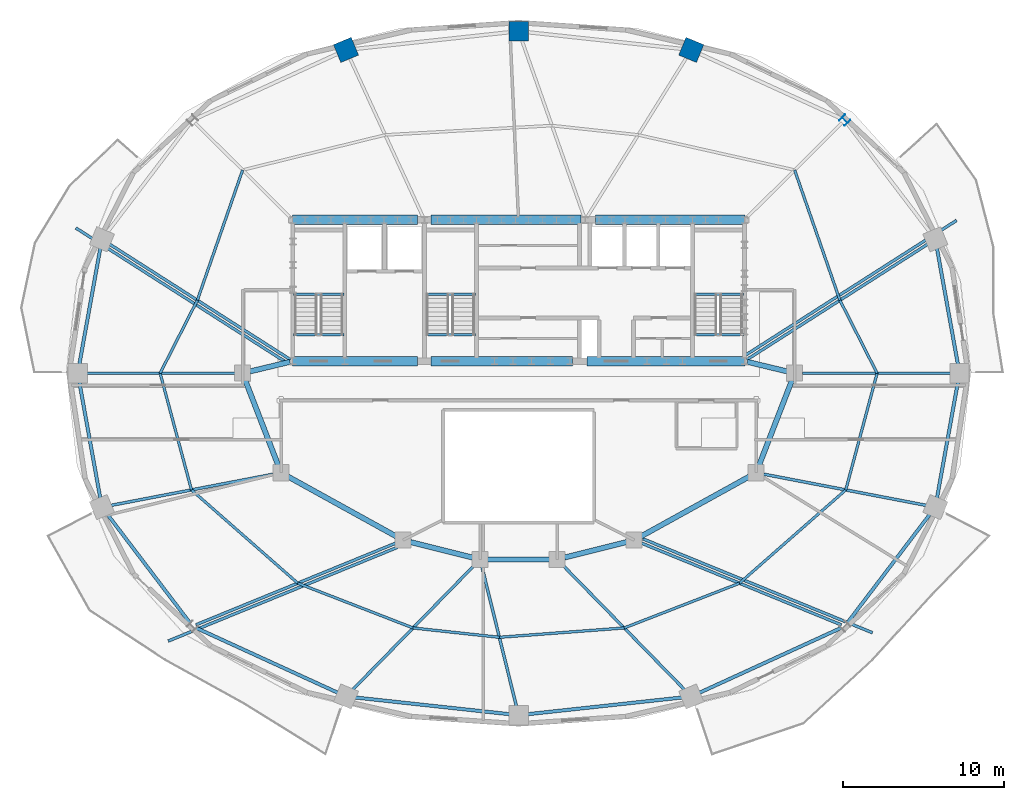
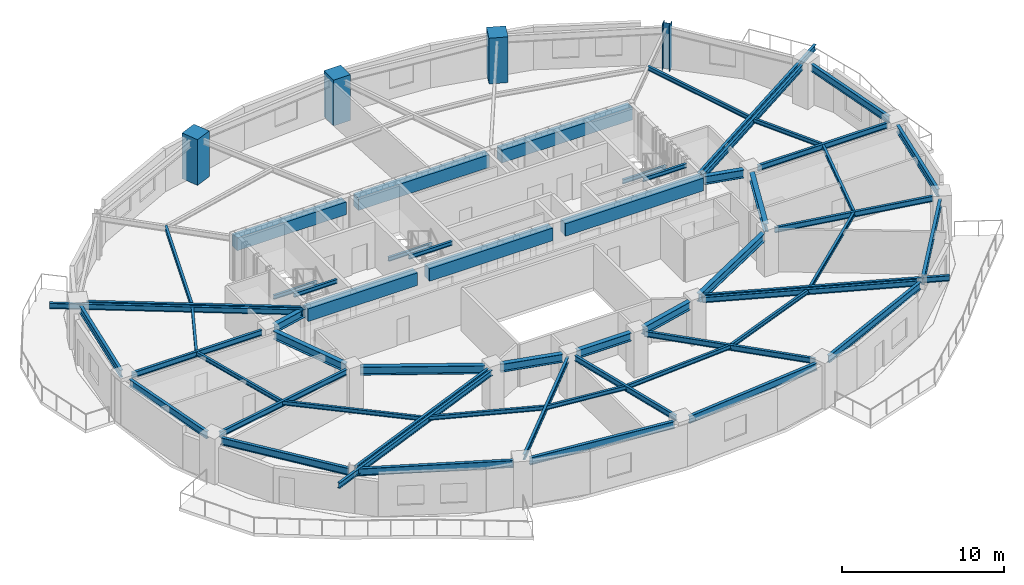
# One storey, part 2 of 11: 58 beams, 4 columns.
"""IFC4 building model written with IfcOpenShell, lengths in metres."""

from ifc_helpers import new_model, si_unit, direction, frame, origin, origin_2d, place, context, subcontext, project, spatial, rectangle, i_section, extrude, material, material_profile, profile_set, type_object, element, save


model = new_model("IFC4")

# Units and contexts
model_context = context("Model", 3, precision=1e-05, world=origin(), true_north=direction((0.0, 1.0)))
body_context = subcontext(model_context, "Body", "Model", "MODEL_VIEW")
ifc_project = project(units=[si_unit("LENGTHUNIT", "METRE"), si_unit("AREAUNIT", "SQUARE_METRE"), si_unit("VOLUMEUNIT", "CUBIC_METRE"), si_unit("PLANEANGLEUNIT", "RADIAN"), si_unit("MASSUNIT", "GRAM", prefix="KILO")], contexts=[model_context])

# Site, building, storey
site_placement = place(None, origin())
site = spatial("IfcSite", under=ifc_project, at=site_placement, CompositionType="ELEMENT")
building_placement = place(site_placement, origin())
building = spatial("IfcBuilding", under=site, at=building_placement, Name="Haldorwick Loom Tower", CompositionType="ELEMENT")
storey_placement = place(building_placement, frame((0.0, 0.0, 215.199951171875)))
storey = spatial("IfcBuildingStorey", under=building, at=storey_placement, Name="L58", CompositionType="ELEMENT", Elevation=215.199951171875)

# Columns
ifc_material_1 = material(Name="Concrete C60 (60 MPa)", Category="concrete")
ifc_material_profile_1 = material_profile(ifc_material_1, rectangle(XDim=1.199951171875, YDim=1.199951171875, at=origin_2d()), Name="RC1200X1200", Category="concrete")
ifc_profile_set_1 = profile_set([ifc_material_profile_1], Name="Concrete C60 (60 MPa)")
column_type_1 = type_object("IfcColumnType", Name="STR-COL-RC1200", PredefinedType="COLUMN", material=ifc_profile_set_1)
for number, where, z_axis, x_axis, name in (
    (1, (46.75341796875, 46.140625, 0.0), (0.0, 0.0, 1.0), (0.382683432365, 0.923879532511, 0.0), "L58 Perimeter Pier Column P04"),
    (2, (36.0, 47.304931640625, 0.0), (0.0, 0.0, 1.0), (0.0, 1.0, 0.0), "L58 Perimeter Pier Column P05"),
    (3, (25.24658203125, 46.140625, 0.0), (0.0, 0.0, 1.0), (-0.382683432365, 0.923879532511, 0.0), "L58 Perimeter Pier Column P06"),
):
    element("IfcColumn", number, at=place(storey_placement, frame(where, z_axis=z_axis, x_axis=x_axis)), inside=storey, type_object=column_type_1, Name=name, PredefinedType="COLUMN", context=body_context, shape_type="SweptSolid", body=[
        extrude(rectangle(XDim=1.199951171875, YDim=1.199951171875, at=origin_2d()), origin(), (0.0, 0.0, 1.0), 3.449951171875),
    ])
ifc_material_2 = material(Name="Steel CSA G40.21 350WT", Category="steel")
ifc_material_profile_2 = material_profile(ifc_material_2, i_section(OverallWidth=0.5, OverallDepth=0.5, WebThickness=0.02197265625, FlangeThickness=0.031982421875, at=origin_2d()), Name="WWF500X500", Category="steel")
ifc_profile_set_2 = profile_set([ifc_material_profile_2], Name="Steel CSA G40.21 350WT")
column_type_2 = type_object("IfcColumnType", Name="STR-COL-WWF500", PredefinedType="COLUMN", material=ifc_profile_set_2)
column_placement = place(storey_placement, frame((56.317626953125, 41.764892578125, 0.0), z_axis=(0.0, 0.0, 1.0), x_axis=(0.707106781187, 0.707106781187, 0.0)))
element("IfcColumn", 4, at=column_placement, inside=storey, type_object=column_type_2, Name="L58 Perimeter Pier Column P03", PredefinedType="COLUMN", context=body_context, shape_type="SweptSolid", body=[
    extrude(i_section(OverallWidth=0.5, OverallDepth=0.5, WebThickness=0.02197265625, FlangeThickness=0.031982421875, at=origin_2d()), origin(), (0.0, 0.0, 1.0), 3.449951171875),
])

# Beams
ifc_material_3 = material(Name="Steel CSA G40.21 350W", Category="steel")
ifc_material_profile_3 = material_profile(ifc_material_3, i_section(OverallWidth=0.179931640625, OverallDepth=0.4130859375, WebThickness=0.009765625, FlangeThickness=0.01611328125, at=origin_2d()), Name="W410X74", Category="steel")
ifc_profile_set_3 = profile_set([ifc_material_profile_3], Name="Steel CSA G40.21 350W")
beam_type_1 = type_object("IfcBeamType", Name="STR-BM-BAL410", PredefinedType="BEAM", material=ifc_profile_set_3)
beam_1_placement = place(storey_placement, frame((43.74560546875, 15.679443359375, 3.003662109375), z_axis=(0.925580184245, -0.378551611451, 0.0), x_axis=(0.378551611451, 0.925580184245, 0.0)))
element("IfcBeam", 5, at=beam_1_placement, inside=storey, type_object=beam_type_1, Name="L58 Continuous Back-Spanned Balcony Beam 1", PredefinedType="BEAM", context=body_context, shape_type="SweptSolid", body=[
    extrude(i_section(OverallWidth=0.179931640625, OverallDepth=0.4130859375, WebThickness=0.009765625, FlangeThickness=0.01611328125, at=origin_2d()), origin(), (0.0, 0.0, 1.0), 15.447509765625),
])
beam_2_placement = place(storey_placement, frame((28.46630859375, 15.160888671875, 3.003662109375), z_axis=(-0.925585721791, -0.378538071556, 0.0), x_axis=(0.378538071556, -0.925585721791, 0.0)))
element("IfcBeam", 6, at=beam_2_placement, inside=storey, type_object=beam_type_1, Name="L58 Continuous Back-Spanned Balcony Beam 2", PredefinedType="BEAM", context=body_context, shape_type="SweptSolid", body=[
    extrude(i_section(OverallWidth=0.179931640625, OverallDepth=0.4130859375, WebThickness=0.009765625, FlangeThickness=0.01611328125, at=origin_2d()), origin(), (0.0, 0.0, 1.0), 15.447265625),
])
for number, where, z_axis, x_axis, name in (
    (7, (21.62939453125, 26.60986328125, 3.003662109375), (-0.842844376394, 0.538157372133, 0.0), (-0.538157372133, -0.842844376394, 0.0), "L58 Continuous Back-Spanned Balcony Beam 3"),
    (8, (50.0693359375, 27.081787109375, 3.003662109375), (0.842844376394, 0.538157372133, 0.0), (-0.538157372133, 0.842844376394, 0.0), "L58 Continuous Back-Spanned Balcony Beam 4"),
):
    element("IfcBeam", number, at=place(storey_placement, frame(where, z_axis=z_axis, x_axis=x_axis)), inside=storey, type_object=beam_type_1, Name=name, PredefinedType="BEAM", context=body_context, shape_type="SweptSolid", body=[
        extrude(i_section(OverallWidth=0.179931640625, OverallDepth=0.4130859375, WebThickness=0.009765625, FlangeThickness=0.01611328125, at=origin_2d()), origin(), (0.0, 0.0, 1.0), 15.680419921875),
    ])
ifc_material_4 = material(Name="Concrete C50 (50 MPa)", Category="concrete")
ifc_material_profile_4 = material_profile(ifc_material_4, rectangle(XDim=0.60009765625, YDim=0.949951171875, at=origin_2d()), Name="RC600X950", Category="concrete")
ifc_profile_set_4 = profile_set([ifc_material_profile_4], Name="Concrete C50 (50 MPa)")
beam_type_2 = type_object("IfcBeamType", Name="STR-BM-CB950", PredefinedType="LINTEL", material=ifc_profile_set_4)
beam_3_placement = place(storey_placement, frame((21.89990234375, 35.550048828125, 2.735107421875), z_axis=(1.0, 0.0, 0.0), x_axis=(0.0, 1.0, 0.0)))
element("IfcBeam", 9, at=beam_3_placement, inside=storey, type_object=beam_type_2, Name="L58 Core Coupling Beam CB-N1", PredefinedType="LINTEL", context=body_context, shape_type="SweptSolid", body=[
    extrude(rectangle(XDim=0.60009765625, YDim=0.949951171875, at=origin_2d()), origin(), (0.0, 0.0, 1.0), 7.800048828125),
])
beam_4_placement = place(storey_placement, frame((30.550048828125, 35.550048828125, 2.735107421875), z_axis=(1.0, 0.0, 0.0), x_axis=(0.0, 1.0, 0.0)))
element("IfcBeam", 10, at=beam_4_placement, inside=storey, type_object=beam_type_2, Name="L58 Core Coupling Beam CB-N2", PredefinedType="LINTEL", context=body_context, shape_type="SweptSolid", body=[
    extrude(rectangle(XDim=0.60009765625, YDim=0.949951171875, at=origin_2d()), origin(), (0.0, 0.0, 1.0), 9.349853515625),
])
beam_5_placement = place(storey_placement, frame((40.800048828125, 35.550048828125, 2.735107421875), z_axis=(1.0, 0.0, 0.0), x_axis=(0.0, 1.0, 0.0)))
element("IfcBeam", 11, at=beam_5_placement, inside=storey, type_object=beam_type_2, Name="L58 Core Coupling Beam CB-N3", PredefinedType="LINTEL", context=body_context, shape_type="SweptSolid", body=[
    extrude(rectangle(XDim=0.60009765625, YDim=0.949951171875, at=origin_2d()), origin(), (0.0, 0.0, 1.0), 9.300048828125),
])
beam_6_placement = place(storey_placement, frame((21.89990234375, 26.75, 2.735107421875), z_axis=(1.0, 0.0, 0.0), x_axis=(0.0, 1.0, 0.0)))
element("IfcBeam", 12, at=beam_6_placement, inside=storey, type_object=beam_type_2, Name="L58 Core Coupling Beam CB-S1", PredefinedType="LINTEL", context=body_context, shape_type="SweptSolid", body=[
    extrude(rectangle(XDim=0.60009765625, YDim=0.949951171875, at=origin_2d()), origin(), (0.0, 0.0, 1.0), 7.800048828125),
])
beam_7_placement = place(storey_placement, frame((30.550048828125, 26.75, 2.735107421875), z_axis=(1.0, 0.0, 0.0), x_axis=(0.0, 1.0, 0.0)))
element("IfcBeam", 13, at=beam_7_placement, inside=storey, type_object=beam_type_2, Name="L58 Core Coupling Beam CB-S2", PredefinedType="LINTEL", context=body_context, shape_type="SweptSolid", body=[
    extrude(rectangle(XDim=0.60009765625, YDim=0.949951171875, at=origin_2d()), origin(), (0.0, 0.0, 1.0), 8.800048828125),
])
beam_8_placement = place(storey_placement, frame((40.25, 26.75, 2.735107421875), z_axis=(1.0, 0.0, 0.0), x_axis=(0.0, 1.0, 0.0)))
element("IfcBeam", 14, at=beam_8_placement, inside=storey, type_object=beam_type_2, Name="L58 Core Coupling Beam CB-S3", PredefinedType="LINTEL", context=body_context, shape_type="SweptSolid", body=[
    extrude(rectangle(XDim=0.60009765625, YDim=0.949951171875, at=origin_2d()), origin(), (0.0, 0.0, 1.0), 9.85009765625),
])
ifc_material_profile_5 = material_profile(ifc_material_3, i_section(OverallWidth=0.166015625, OverallDepth=0.31298828125, WebThickness=0.006591796875, FlangeThickness=0.01123046875, at=origin_2d()), Name="W310X45", Category="steel")
ifc_profile_set_5 = profile_set([ifc_material_profile_5], Name="Steel CSA G40.21 350W")
beam_type_3 = type_object("IfcBeamType", Name="STR-BM-J310", PredefinedType="JOIST", material=ifc_profile_set_5)
beam_9_placement = place(storey_placement, frame((58.333251953125, 26.0, 3.053466796875), z_axis=(-0.454203827517, 0.890897796085, 0.0), x_axis=(-0.890897796085, -0.454203827517, 0.0)))
element("IfcBeam", 15, at=beam_9_placement, inside=storey, type_object=beam_type_3, Name="L58 Mid-Bay Secondary Joist 1", PredefinedType="JOIST", context=body_context, shape_type="SweptSolid", body=[
    extrude(i_section(OverallWidth=0.166015625, OverallDepth=0.31298828125, WebThickness=0.006591796875, FlangeThickness=0.01123046875, at=origin_2d()), origin(), (0.0, 0.0, 1.0), 5.103271484375),
])
for number, where, z_axis, x_axis, name in (
    (16, (56.015380859375, 30.54638671875, 3.053466796875), (-0.328550395803, 0.944486441098, 0.0), (-0.944486441098, -0.328550395803, 0.0), "L58 Mid-Bay Secondary Joist 2"),
    (17, (18.80615234375, 38.657470703125, 3.053466796875), (-0.328550395803, -0.944486441098, 0.0), (0.944486441098, -0.328550395803, 0.0), "L58 Mid-Bay Secondary Joist 7"),
):
    element("IfcBeam", number, at=place(storey_placement, frame(where, z_axis=z_axis, x_axis=x_axis)), inside=storey, type_object=beam_type_3, Name=name, PredefinedType="JOIST", context=body_context, shape_type="SweptSolid", body=[
        extrude(i_section(OverallWidth=0.166015625, OverallDepth=0.31298828125, WebThickness=0.006591796875, FlangeThickness=0.01123046875, at=origin_2d()), origin(), (0.0, 0.0, 1.0), 8.587890625),
    ])
beam_10_placement = place(storey_placement, frame((15.984619140625, 30.54638671875, 3.053466796875), z_axis=(-0.454203827517, -0.890897796085, 0.0), x_axis=(0.890897796085, -0.454203827517, 0.0)))
element("IfcBeam", 18, at=beam_10_placement, inside=storey, type_object=beam_type_3, Name="L58 Mid-Bay Secondary Joist 8", PredefinedType="JOIST", context=body_context, shape_type="SweptSolid", body=[
    extrude(i_section(OverallWidth=0.166015625, OverallDepth=0.31298828125, WebThickness=0.006591796875, FlangeThickness=0.01123046875, at=origin_2d()), origin(), (0.0, 0.0, 1.0), 5.103271484375),
])
beam_11_placement = place(storey_placement, frame((13.666748046875, 26.0, 3.053466796875), z_axis=(0.259353588718, -0.965782437208, 0.0), x_axis=(0.965782437208, 0.259353588718, 0.0)))
element("IfcBeam", 19, at=beam_11_placement, inside=storey, type_object=beam_type_3, Name="L58 Mid-Bay Secondary Joist 9", PredefinedType="JOIST", context=body_context, shape_type="SweptSolid", body=[
    extrude(i_section(OverallWidth=0.166015625, OverallDepth=0.31298828125, WebThickness=0.006591796875, FlangeThickness=0.01123046875, at=origin_2d()), origin(), (0.0, 0.0, 1.0), 7.52880859375),
])
beam_12_placement = place(storey_placement, frame((15.619384765625, 18.728759765625, 3.053466796875), z_axis=(0.751609427289, -0.659608420815, 0.0), x_axis=(0.659608420815, 0.751609427289, 0.0)))
element("IfcBeam", 20, at=beam_12_placement, inside=storey, type_object=beam_type_3, Name="L58 Mid-Bay Secondary Joist 10", PredefinedType="JOIST", context=body_context, shape_type="SweptSolid", body=[
    extrude(i_section(OverallWidth=0.166015625, OverallDepth=0.31298828125, WebThickness=0.006591796875, FlangeThickness=0.01123046875, at=origin_2d()), origin(), (0.0, 0.0, 1.0), 8.810302734375),
])
beam_13_placement = place(storey_placement, frame((22.2412109375, 12.91748046875, 3.053466796875), z_axis=(0.932232852675, -0.36185896202, 0.0), x_axis=(0.36185896202, 0.932232852675, 0.0)))
element("IfcBeam", 21, at=beam_13_placement, inside=storey, type_object=beam_type_3, Name="L58 Mid-Bay Secondary Joist 11", PredefinedType="JOIST", context=body_context, shape_type="SweptSolid", body=[
    extrude(i_section(OverallWidth=0.166015625, OverallDepth=0.31298828125, WebThickness=0.006591796875, FlangeThickness=0.01123046875, at=origin_2d()), origin(), (0.0, 0.0, 1.0), 7.7041015625),
])
beam_14_placement = place(storey_placement, frame((29.42333984375, 10.129638671875, 3.053466796875), z_axis=(0.994191913888, -0.107621737398, 0.0), x_axis=(0.107621737398, 0.994191913888, 0.0)))
element("IfcBeam", 22, at=beam_14_placement, inside=storey, type_object=beam_type_3, Name="L58 Mid-Bay Secondary Joist 12", PredefinedType="JOIST", context=body_context, shape_type="SweptSolid", body=[
    extrude(i_section(OverallWidth=0.166015625, OverallDepth=0.31298828125, WebThickness=0.006591796875, FlangeThickness=0.01123046875, at=origin_2d()), origin(), (0.0, 0.0, 1.0), 5.408203125),
])
beam_15_placement = place(storey_placement, frame((34.800048828125, 9.547607421875, 3.053466796875), z_axis=(0.997210913817, 0.074635067923, 0.0), x_axis=(-0.074635067923, 0.997210913817, 0.0)))
element("IfcBeam", 23, at=beam_15_placement, inside=storey, type_object=beam_type_3, Name="L58 Mid-Bay Secondary Joist 13", PredefinedType="JOIST", context=body_context, shape_type="SweptSolid", body=[
    extrude(i_section(OverallWidth=0.166015625, OverallDepth=0.31298828125, WebThickness=0.006591796875, FlangeThickness=0.01123046875, at=origin_2d()), origin(), (0.0, 0.0, 1.0), 7.79833984375),
])
beam_16_placement = place(storey_placement, frame((42.57666015625, 10.129638671875, 3.053466796875), z_axis=(0.932232852675, 0.36185896202, 0.0), x_axis=(-0.36185896202, 0.932232852675, 0.0)))
element("IfcBeam", 24, at=beam_16_placement, inside=storey, type_object=beam_type_3, Name="L58 Mid-Bay Secondary Joist 14", PredefinedType="JOIST", context=body_context, shape_type="SweptSolid", body=[
    extrude(i_section(OverallWidth=0.166015625, OverallDepth=0.31298828125, WebThickness=0.006591796875, FlangeThickness=0.01123046875, at=origin_2d()), origin(), (0.0, 0.0, 1.0), 7.7041015625),
])
beam_17_placement = place(storey_placement, frame((49.7587890625, 12.91748046875, 3.053466796875), z_axis=(0.751609427289, 0.659608420815, 0.0), x_axis=(-0.659608420815, 0.751609427289, 0.0)))
element("IfcBeam", 25, at=beam_17_placement, inside=storey, type_object=beam_type_3, Name="L58 Mid-Bay Secondary Joist 15", PredefinedType="JOIST", context=body_context, shape_type="SweptSolid", body=[
    extrude(i_section(OverallWidth=0.166015625, OverallDepth=0.31298828125, WebThickness=0.006591796875, FlangeThickness=0.01123046875, at=origin_2d()), origin(), (0.0, 0.0, 1.0), 8.810302734375),
])
beam_18_placement = place(storey_placement, frame((56.380615234375, 18.728759765625, 3.053466796875), z_axis=(0.259353588718, 0.965782437208, 0.0), x_axis=(-0.965782437208, 0.259353588718, 0.0)))
element("IfcBeam", 26, at=beam_18_placement, inside=storey, type_object=beam_type_3, Name="L58 Mid-Bay Secondary Joist 16", PredefinedType="JOIST", context=body_context, shape_type="SweptSolid", body=[
    extrude(i_section(OverallWidth=0.166015625, OverallDepth=0.31298828125, WebThickness=0.006591796875, FlangeThickness=0.01123046875, at=origin_2d()), origin(), (0.0, 0.0, 1.0), 7.52880859375),
])
ifc_material_profile_6 = material_profile(ifc_material_3, i_section(OverallWidth=0.179931640625, OverallDepth=0.4130859375, WebThickness=0.009765625, FlangeThickness=0.01611328125, at=origin_2d()), Name="W410X74", Category="steel")
ifc_profile_set_6 = profile_set([ifc_material_profile_6], Name="Steel CSA G40.21 350W")
beam_type_4 = type_object("IfcBeamType", Name="STR-BM-J410", PredefinedType="JOIST", material=ifc_profile_set_6)
beam_19_placement = place(storey_placement, frame((53.675048828125, 26.0, 3.003662109375), z_axis=(1.0, 0.0, 0.0), x_axis=(0.0, 1.0, 0.0)))
element("IfcBeam", 27, at=beam_19_placement, inside=storey, type_object=beam_type_4, Name="L58 Radial Floor Girder 1", PredefinedType="JOIST", context=body_context, shape_type="SweptSolid", body=[
    extrude(i_section(OverallWidth=0.179931640625, OverallDepth=0.4130859375, WebThickness=0.009765625, FlangeThickness=0.01611328125, at=origin_2d()), origin(), (0.0, 0.0, 1.0), 9.271240234375),
])
for number, where, z_axis, x_axis, name in (
    (28, (50.219970703125, 26.845703125, 3.003662109375), (0.842836647066, 0.538169477361, 0.0), (-0.538169477361, 0.842836647066, 0.0), "L58 Radial Floor Girder 2"),
    (29, (21.780029296875, 26.845703125, 3.003662109375), (-0.842836647066, 0.538169477361, 0.0), (-0.538169477361, -0.842836647066, 0.0), "L58 Radial Floor Girder 8"),
):
    element("IfcBeam", number, at=place(storey_placement, frame(where, z_axis=z_axis, x_axis=x_axis)), inside=storey, type_object=beam_type_4, Name=name, PredefinedType="JOIST", context=body_context, shape_type="SweptSolid", body=[
        extrude(i_section(OverallWidth=0.179931640625, OverallDepth=0.4130859375, WebThickness=0.009765625, FlangeThickness=0.01611328125, at=origin_2d()), origin(), (0.0, 0.0, 1.0), 13.410400390625),
    ])
beam_20_placement = place(storey_placement, frame((18.324951171875, 26.0, 3.003662109375), z_axis=(-1.0, 0.0, 0.0), x_axis=(0.0, -1.0, 0.0)))
element("IfcBeam", 30, at=beam_20_placement, inside=storey, type_object=beam_type_4, Name="L58 Radial Floor Girder 9", PredefinedType="JOIST", context=body_context, shape_type="SweptSolid", body=[
    extrude(i_section(OverallWidth=0.179931640625, OverallDepth=0.4130859375, WebThickness=0.009765625, FlangeThickness=0.01611328125, at=origin_2d()), origin(), (0.0, 0.0, 1.0), 9.271240234375),
])
beam_21_placement = place(storey_placement, frame((20.7333984375, 19.71044921875, 3.003662109375), z_axis=(-0.982069869785, -0.188517295919, 0.0), x_axis=(0.188517295919, -0.982069869785, 0.0)))
element("IfcBeam", 31, at=beam_21_placement, inside=storey, type_object=beam_type_4, Name="L58 Radial Floor Girder 10", PredefinedType="JOIST", context=body_context, shape_type="SweptSolid", body=[
    extrude(i_section(OverallWidth=0.179931640625, OverallDepth=0.4130859375, WebThickness=0.009765625, FlangeThickness=0.01611328125, at=origin_2d()), origin(), (0.0, 0.0, 1.0), 10.36962890625),
])
beam_22_placement = place(storey_placement, frame((28.3603515625, 15.420166015625, 3.003662109375), z_axis=(-0.925583323606, -0.378543935445, 0.0), x_axis=(0.378543935445, -0.925583323606, 0.0)))
element("IfcBeam", 32, at=beam_22_placement, inside=storey, type_object=beam_type_4, Name="L58 Radial Floor Girder 11", PredefinedType="JOIST", context=body_context, shape_type="SweptSolid", body=[
    extrude(i_section(OverallWidth=0.179931640625, OverallDepth=0.4130859375, WebThickness=0.009765625, FlangeThickness=0.01611328125, at=origin_2d()), origin(), (0.0, 0.0, 1.0), 13.47216796875),
])
beam_23_placement = place(storey_placement, frame((33.267822265625, 14.060302734375, 3.003662109375), z_axis=(-0.699238682239, -0.714888288658, 0.0), x_axis=(0.714888288658, -0.699238682239, 0.0)))
element("IfcBeam", 33, at=beam_23_placement, inside=storey, type_object=beam_type_4, Name="L58 Radial Floor Girder 12", PredefinedType="JOIST", context=body_context, shape_type="SweptSolid", body=[
    extrude(i_section(OverallWidth=0.179931640625, OverallDepth=0.4130859375, WebThickness=0.009765625, FlangeThickness=0.01611328125, at=origin_2d()), origin(), (0.0, 0.0, 1.0), 10.951416015625),
])
beam_24_placement = place(storey_placement, frame((33.714111328125, 13.93896484375, 3.003662109375), z_axis=(0.240059013303, -0.970758296453, 0.0), x_axis=(0.970758296453, 0.240059013303, 0.0)))
element("IfcBeam", 34, at=beam_24_placement, inside=storey, type_object=beam_type_4, Name="L58 Radial Floor Girder 13", PredefinedType="JOIST", context=body_context, shape_type="SweptSolid", body=[
    extrude(i_section(OverallWidth=0.179931640625, OverallDepth=0.4130859375, WebThickness=0.009765625, FlangeThickness=0.01611328125, at=origin_2d()), origin(), (0.0, 0.0, 1.0), 9.00244140625),
])
beam_25_placement = place(storey_placement, frame((38.732177734375, 14.060302734375, 3.003662109375), z_axis=(0.699238682239, -0.714888288658, 0.0), x_axis=(0.714888288658, 0.699238682239, 0.0)))
element("IfcBeam", 35, at=beam_25_placement, inside=storey, type_object=beam_type_4, Name="L58 Radial Floor Girder 14", PredefinedType="JOIST", context=body_context, shape_type="SweptSolid", body=[
    extrude(i_section(OverallWidth=0.179931640625, OverallDepth=0.4130859375, WebThickness=0.009765625, FlangeThickness=0.01611328125, at=origin_2d()), origin(), (0.0, 0.0, 1.0), 10.951416015625),
])
beam_26_placement = place(storey_placement, frame((43.6396484375, 15.420166015625, 3.003662109375), z_axis=(0.925583323606, -0.378543935445, 0.0), x_axis=(0.378543935445, 0.925583323606, 0.0)))
element("IfcBeam", 36, at=beam_26_placement, inside=storey, type_object=beam_type_4, Name="L58 Radial Floor Girder 15", PredefinedType="JOIST", context=body_context, shape_type="SweptSolid", body=[
    extrude(i_section(OverallWidth=0.179931640625, OverallDepth=0.4130859375, WebThickness=0.009765625, FlangeThickness=0.01611328125, at=origin_2d()), origin(), (0.0, 0.0, 1.0), 13.47216796875),
])
beam_27_placement = place(storey_placement, frame((51.2666015625, 19.71044921875, 3.003662109375), z_axis=(0.982069869785, -0.188517295919, 0.0), x_axis=(0.188517295919, 0.982069869785, 0.0)))
element("IfcBeam", 37, at=beam_27_placement, inside=storey, type_object=beam_type_4, Name="L58 Radial Floor Girder 16", PredefinedType="JOIST", context=body_context, shape_type="SweptSolid", body=[
    extrude(i_section(OverallWidth=0.179931640625, OverallDepth=0.4130859375, WebThickness=0.009765625, FlangeThickness=0.01611328125, at=origin_2d()), origin(), (0.0, 0.0, 1.0), 10.36962890625),
])
ifc_material_profile_7 = material_profile(ifc_material_3, i_section(OverallWidth=0.2119140625, OverallDepth=0.5439453125, WebThickness=0.01318359375, FlangeThickness=0.021240234375, at=origin_2d()), Name="W530X123", Category="steel")
ifc_profile_set_7 = profile_set([ifc_material_profile_7], Name="Steel CSA G40.21 350W")
beam_type_5 = type_object("IfcBeamType", Name="STR-BM-SP530", PredefinedType="SPANDREL", material=ifc_profile_set_7)
for number, where, z_axis, x_axis, name in (
    (38, (63.3740234375, 26.51171875, 2.93798828125), (-0.1775911332, 0.984104359003, 0.0), (-0.984104359003, -0.1775911332, 0.0), "L58 Perimeter Spandrel 1"),
    (39, (9.94677734375, 33.830810546875, 2.93798828125), (-0.1775911332, -0.984104359003, 0.0), (0.984104359003, -0.1775911332, 0.0), "L58 Perimeter Spandrel 8"),
    (40, (8.6259765625, 25.48828125, 2.93798828125), (0.1775911332, -0.984104359003, 0.0), (0.984104359003, 0.1775911332, 0.0), "L58 Perimeter Spandrel 9"),
):
    element("IfcBeam", number, at=place(storey_placement, frame(where, z_axis=z_axis, x_axis=x_axis)), inside=storey, type_object=beam_type_5, Name=name, PredefinedType="SPANDREL", context=body_context, shape_type="SweptSolid", body=[
        extrude(i_section(OverallWidth=0.2119140625, OverallDepth=0.5439453125, WebThickness=0.01318359375, FlangeThickness=0.021240234375, at=origin_2d()), origin(), (0.0, 0.0, 1.0), 7.437255859375),
    ])
beam_28_placement = place(storey_placement, frame((10.353759765625, 17.24365234375, 2.93798828125), z_axis=(0.605236944797, -0.796045376001, 0.0), x_axis=(0.796045376001, 0.605236944797, 0.0)))
element("IfcBeam", 41, at=beam_28_placement, inside=storey, type_object=beam_type_5, Name="L58 Perimeter Spandrel 10", PredefinedType="SPANDREL", context=body_context, shape_type="SweptSolid", body=[
    extrude(i_section(OverallWidth=0.2119140625, OverallDepth=0.5439453125, WebThickness=0.01318359375, FlangeThickness=0.021240234375, at=origin_2d()), origin(), (0.0, 0.0, 1.0), 8.5791015625),
])
beam_29_placement = place(storey_placement, frame((15.886962890625, 10.1416015625, 2.93798828125), z_axis=(0.909342182232, -0.416049030299, 0.0), x_axis=(0.416049030299, 0.909342182232, 0.0)))
element("IfcBeam", 42, at=beam_29_placement, inside=storey, type_object=beam_type_5, Name="L58 Perimeter Spandrel 11", PredefinedType="SPANDREL", context=body_context, shape_type="SweptSolid", body=[
    extrude(i_section(OverallWidth=0.2119140625, OverallDepth=0.5439453125, WebThickness=0.01318359375, FlangeThickness=0.021240234375, at=origin_2d()), origin(), (0.0, 0.0, 1.0), 9.772705078125),
])
for number, where, z_axis, x_axis, name in (
    (43, (25.763671875, 5.803466796875, 2.93798828125), (0.994187774205, -0.107659972233, 0.0), (0.107659972233, 0.994187774205, 0.0), "L58 Perimeter Spandrel 12"),
    (44, (36.51708984375, 4.7509765625, 2.93798828125), (0.994187774205, 0.107659972233, 0.0), (-0.107659972233, 0.994187774205, 0.0), "L58 Perimeter Spandrel 13"),
):
    element("IfcBeam", number, at=place(storey_placement, frame(where, z_axis=z_axis, x_axis=x_axis)), inside=storey, type_object=beam_type_5, Name=name, PredefinedType="SPANDREL", context=body_context, shape_type="SweptSolid", body=[
        extrude(i_section(OverallWidth=0.2119140625, OverallDepth=0.5439453125, WebThickness=0.01318359375, FlangeThickness=0.021240234375, at=origin_2d()), origin(), (0.0, 0.0, 1.0), 9.776123046875),
    ])
beam_30_placement = place(storey_placement, frame((47.226318359375, 6.07568359375, 2.93798828125), z_axis=(0.909342182232, 0.416049030299, 0.0), x_axis=(-0.416049030299, 0.909342182232, 0.0)))
element("IfcBeam", 45, at=beam_30_placement, inside=storey, type_object=beam_type_5, Name="L58 Perimeter Spandrel 14", PredefinedType="SPANDREL", context=body_context, shape_type="SweptSolid", body=[
    extrude(i_section(OverallWidth=0.2119140625, OverallDepth=0.5439453125, WebThickness=0.01318359375, FlangeThickness=0.021240234375, at=origin_2d()), origin(), (0.0, 0.0, 1.0), 9.772705078125),
])
beam_31_placement = place(storey_placement, frame((56.453857421875, 10.414306640625, 2.93798828125), z_axis=(0.605236944797, 0.796045376001, 0.0), x_axis=(-0.796045376001, 0.605236944797, 0.0)))
element("IfcBeam", 46, at=beam_31_placement, inside=storey, type_object=beam_type_5, Name="L58 Perimeter Spandrel 15", PredefinedType="SPANDREL", context=body_context, shape_type="SweptSolid", body=[
    extrude(i_section(OverallWidth=0.2119140625, OverallDepth=0.5439453125, WebThickness=0.01318359375, FlangeThickness=0.021240234375, at=origin_2d()), origin(), (0.0, 0.0, 1.0), 8.5791015625),
])
beam_32_placement = place(storey_placement, frame((62.05322265625, 18.169189453125, 2.93798828125), z_axis=(0.1775911332, 0.984104359003, 0.0), x_axis=(-0.984104359003, 0.1775911332, 0.0)))
element("IfcBeam", 47, at=beam_32_placement, inside=storey, type_object=beam_type_5, Name="L58 Perimeter Spandrel 16", PredefinedType="SPANDREL", context=body_context, shape_type="SweptSolid", body=[
    extrude(i_section(OverallWidth=0.2119140625, OverallDepth=0.5439453125, WebThickness=0.01318359375, FlangeThickness=0.021240234375, at=origin_2d()), origin(), (0.0, 0.0, 1.0), 7.437255859375),
])
ifc_material_profile_8 = material_profile(ifc_material_3, i_section(OverallWidth=0.166015625, OverallDepth=0.31298828125, WebThickness=0.006591796875, FlangeThickness=0.01123046875, at=origin_2d()), Name="W310X45", Category="steel")
ifc_profile_set_8 = profile_set([ifc_material_profile_8], Name="Steel CSA G40.21 350W")
beam_type_6 = type_object("IfcBeamType", Name="STR-BM-STRM", PredefinedType="BEAM", material=ifc_profile_set_8)
for number, where, z_axis, x_axis, name in (
    (48, (21.989990234375, 28.39990234375, 3.053466796875), (1.0, 0.0, 0.0), (0.0, 1.0, 0.0), "L58 Stair ST-01 Landing Edge Trimmer"),
    (49, (21.989990234375, 30.919921875, 1.36865234375), (1.0, 0.0, 0.0), (0.0, 1.0, 0.0), "L58 Stair ST-01 Half-Landing Trimmer 1"),
    (50, (46.889892578125, 28.39990234375, 3.053466796875), (1.0, 0.0, 0.0), (0.0, 1.0, 0.0), "L58 Stair ST-02 Landing Edge Trimmer"),
    (51, (46.889892578125, 30.919921875, 1.36865234375), (1.0, 0.0, 0.0), (0.0, 1.0, 0.0), "L58 Stair ST-02 Half-Landing Trimmer 1"),
    (52, (30.18994140625, 28.39990234375, 3.053466796875), (1.0, 0.0, 0.0), (0.0, 1.0, 0.0), "L58 Stair ST-03 Landing Edge Trimmer"),
    (53, (30.18994140625, 30.919921875, 1.36865234375), (1.0, 0.0, 0.0), (0.0, 1.0, 0.0), "L58 Stair ST-03 Half-Landing Trimmer 1"),
):
    element("IfcBeam", number, at=place(storey_placement, frame(where, z_axis=z_axis, x_axis=x_axis)), inside=storey, type_object=beam_type_6, Name=name, PredefinedType="BEAM", context=body_context, shape_type="SweptSolid", body=[
        extrude(i_section(OverallWidth=0.166015625, OverallDepth=0.31298828125, WebThickness=0.006591796875, FlangeThickness=0.01123046875, at=origin_2d()), origin(), (0.0, 0.0, 1.0), 3.1201171875),
    ])
ifc_material_profile_9 = material_profile(ifc_material_3, i_section(OverallWidth=0.324951171875, OverallDepth=0.615966796875, WebThickness=0.013916015625, FlangeThickness=0.021484375, at=origin_2d()), Name="W610X174", Category="steel")
ifc_profile_set_9 = profile_set([ifc_material_profile_9], Name="Steel CSA G40.21 350W")
beam_type_7 = type_object("IfcBeamType", Name="STR-BM-W610A", PredefinedType="BEAM", material=ifc_profile_set_9)
beam_33_placement = place(storey_placement, frame((50.2431640625, 26.70849609375, 2.902099609375), z_axis=(0.972464127734, -0.233052612665, 0.0), x_axis=(0.233052612665, 0.972464127734, 0.0)))
element("IfcBeam", 54, at=beam_33_placement, inside=storey, type_object=beam_type_7, Name="L58 Inner Ring Girder 1", PredefinedType="BEAM", context=body_context, shape_type="SweptSolid", body=[
    extrude(i_section(OverallWidth=0.324951171875, OverallDepth=0.615966796875, WebThickness=0.013916015625, FlangeThickness=0.021484375, at=origin_2d()), origin(), (0.0, 0.0, 1.0), 2.5654296875),
])
beam_34_placement = place(storey_placement, frame((53.028564453125, 25.556884765625, 2.902099609375), z_axis=(-0.36101093026, -0.93256158415, 0.0), x_axis=(0.93256158415, -0.36101093026, 0.0)))
element("IfcBeam", 55, at=beam_34_placement, inside=storey, type_object=beam_type_7, Name="L58 Inner Ring Girder 2", PredefinedType="BEAM", context=body_context, shape_type="SweptSolid", body=[
    extrude(i_section(OverallWidth=0.324951171875, OverallDepth=0.615966796875, WebThickness=0.013916015625, FlangeThickness=0.021484375, at=origin_2d()), origin(), (0.0, 0.0, 1.0), 5.6982421875),
])
beam_35_placement = place(storey_placement, frame((50.38427734375, 19.5703125, 2.902099609375), z_axis=(-0.875243645673, -0.483682293152, 0.0), x_axis=(0.483682293152, -0.875243645673, 0.0)))
element("IfcBeam", 56, at=beam_35_placement, inside=storey, type_object=beam_type_7, Name="L58 Inner Ring Girder 3", PredefinedType="BEAM", context=body_context, shape_type="SweptSolid", body=[
    extrude(i_section(OverallWidth=0.324951171875, OverallDepth=0.615966796875, WebThickness=0.013916015625, FlangeThickness=0.021484375, at=origin_2d()), origin(), (0.0, 0.0, 1.0), 7.7333984375),
])
beam_36_placement = place(storey_placement, frame((42.7392578125, 15.48486328125, 2.902099609375), z_axis=(-0.970135315182, -0.242564363081, 0.0), x_axis=(0.242564363081, -0.970135315182, 0.0)))
element("IfcBeam", 57, at=beam_36_placement, inside=storey, type_object=beam_type_7, Name="L58 Inner Ring Girder 4", PredefinedType="BEAM", context=body_context, shape_type="SweptSolid", body=[
    extrude(i_section(OverallWidth=0.324951171875, OverallDepth=0.615966796875, WebThickness=0.013916015625, FlangeThickness=0.021484375, at=origin_2d()), origin(), (0.0, 0.0, 1.0), 3.997802734375),
])
beam_37_placement = place(storey_placement, frame((37.925048828125, 14.39990234375, 2.902099609375), z_axis=(-1.0, 0.0, 0.0), x_axis=(0.0, -1.0, 0.0)))
element("IfcBeam", 58, at=beam_37_placement, inside=storey, type_object=beam_type_7, Name="L58 Inner Ring Girder 5", PredefinedType="BEAM", context=body_context, shape_type="SweptSolid", body=[
    extrude(i_section(OverallWidth=0.324951171875, OverallDepth=0.615966796875, WebThickness=0.013916015625, FlangeThickness=0.021484375, at=origin_2d()), origin(), (0.0, 0.0, 1.0), 3.85009765625),
])
beam_38_placement = place(storey_placement, frame((33.13916015625, 14.51513671875, 2.902099609375), z_axis=(-0.970135315182, 0.242564363081, 0.0), x_axis=(-0.242564363081, -0.970135315182, 0.0)))
element("IfcBeam", 59, at=beam_38_placement, inside=storey, type_object=beam_type_7, Name="L58 Inner Ring Girder 6", PredefinedType="BEAM", context=body_context, shape_type="SweptSolid", body=[
    extrude(i_section(OverallWidth=0.324951171875, OverallDepth=0.615966796875, WebThickness=0.013916015625, FlangeThickness=0.021484375, at=origin_2d()), origin(), (0.0, 0.0, 1.0), 3.997802734375),
])
beam_39_placement = place(storey_placement, frame((28.38427734375, 15.829833984375, 2.902099609375), z_axis=(-0.875243645673, 0.483682293152, 0.0), x_axis=(-0.483682293152, -0.875243645673, 0.0)))
element("IfcBeam", 60, at=beam_39_placement, inside=storey, type_object=beam_type_7, Name="L58 Inner Ring Girder 7", PredefinedType="BEAM", context=body_context, shape_type="SweptSolid", body=[
    extrude(i_section(OverallWidth=0.324951171875, OverallDepth=0.615966796875, WebThickness=0.013916015625, FlangeThickness=0.021484375, at=origin_2d()), origin(), (0.0, 0.0, 1.0), 7.7333984375),
])
beam_40_placement = place(storey_placement, frame((21.028564453125, 20.242919921875, 2.902099609375), z_axis=(-0.36101093026, 0.93256158415, 0.0), x_axis=(-0.93256158415, -0.36101093026, 0.0)))
element("IfcBeam", 61, at=beam_40_placement, inside=storey, type_object=beam_type_7, Name="L58 Inner Ring Girder 8", PredefinedType="BEAM", context=body_context, shape_type="SweptSolid", body=[
    extrude(i_section(OverallWidth=0.324951171875, OverallDepth=0.615966796875, WebThickness=0.013916015625, FlangeThickness=0.021484375, at=origin_2d()), origin(), (0.0, 0.0, 1.0), 5.6982421875),
])
beam_41_placement = place(storey_placement, frame((19.261962890625, 26.110595703125, 2.902099609375), z_axis=(0.972464127734, 0.233052612665, 0.0), x_axis=(-0.233052612665, 0.972464127734, 0.0)))
element("IfcBeam", 62, at=beam_41_placement, inside=storey, type_object=beam_type_7, Name="L58 Inner Ring Girder 9", PredefinedType="BEAM", context=body_context, shape_type="SweptSolid", body=[
    extrude(i_section(OverallWidth=0.324951171875, OverallDepth=0.615966796875, WebThickness=0.013916015625, FlangeThickness=0.021484375, at=origin_2d()), origin(), (0.0, 0.0, 1.0), 2.5654296875),
])

save(model, "model.ifc")
